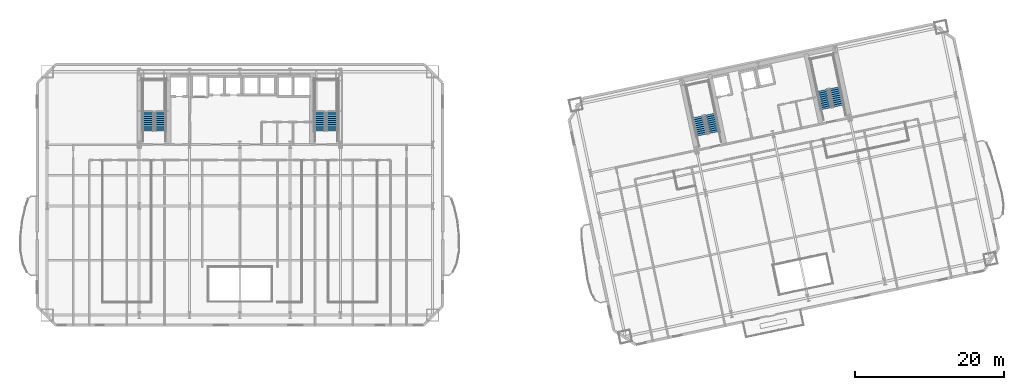
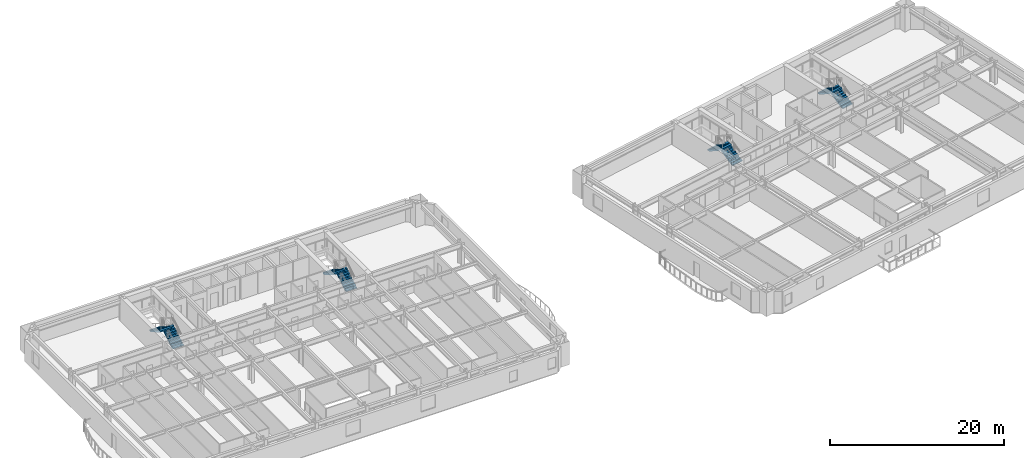
# One storey, part 10 of 17: 8 stair flights, 4 elements without a shape of their own.
"""IFC4 building model written with IfcOpenShell, lengths in metres."""

from ifc_helpers import new_model, si_unit, direction, frame, origin, place, context, subcontext, project, spatial, polyline, outline, extrude, material, type_object, element, aggregate, save


model = new_model("IFC4")

# Units and contexts
model_context = context("Model", 3, precision=1e-05, world=origin(), true_north=direction((0.0, 1.0)))
body_context = subcontext(model_context, "Body", "Model", "MODEL_VIEW")
ifc_project = project(units=[si_unit("LENGTHUNIT", "METRE"), si_unit("AREAUNIT", "SQUARE_METRE"), si_unit("VOLUMEUNIT", "CUBIC_METRE"), si_unit("PLANEANGLEUNIT", "RADIAN"), si_unit("MASSUNIT", "GRAM", prefix="KILO")], contexts=[model_context])

# Site, building, storey
site_placement = place(None, origin())
site = spatial("IfcSite", under=ifc_project, at=site_placement, CompositionType="ELEMENT")
building_placement = place(site_placement, origin())
building = spatial("IfcBuilding", under=site, at=building_placement, Name="Haevon Station Towers", CompositionType="ELEMENT")
storey_placement = place(building_placement, frame((0.0, 0.0, 33.89990234375)))
storey = spatial("IfcBuildingStorey", under=building, at=storey_placement, Name="L07", CompositionType="ELEMENT", Elevation=33.89990234375)

# Stair, stair flights
ifc_material = material(Name="Concrete C40/50", Category="concrete")
stair_type = type_object("IfcStairType", Name="STR-DL1450", PredefinedType="USERDEFINED", material=ifc_material)
stair_1_placement = place(storey_placement, origin())
stair_1 = element("IfcStair", 1, at=stair_1_placement, inside=storey, type_object=stair_type, Name="L07 Escape Stair ST1", ObjectType="TWO_RETURN_STAIR", PredefinedType="USERDEFINED")
stair_flight_type = type_object("IfcStairFlightType", Name="STF-ST1450", PredefinedType="STRAIGHT", material=ifc_material)
stair_flight_1_placement = place(storey_placement, frame((26.85498046875, 40.050048828125, 0.0), z_axis=(0.0, 0.0, 1.0), x_axis=(0.0, 1.0, 0.0)))
stair_flight_1 = element("IfcStairFlight", 2, at=stair_flight_1_placement, type_object=stair_flight_type, Name="L07 ST1 Flight 1", NumberOfRisers=10, NumberOfTreads=9, PredefinedType="STRAIGHT", RiserHeight=0.165, TreadLength=0.28, context=body_context, shape_type="SweptSolid", body=[
    extrude(outline(polyline([(0.0, 0.0), (0.0, 0.1650390625), (0.280029296875, 0.1650390625), (0.280029296875, 0.330078125), (0.56005859375, 0.330078125), (0.56005859375, 0.4951171875), (0.840087890625, 0.4951171875), (0.840087890625, 0.659912109375), (1.1201171875, 0.659912109375), (1.1201171875, 0.824951171875), (1.39990234375, 0.824951171875), (1.39990234375, 0.989990234375), (1.679931640625, 0.989990234375), (1.679931640625, 1.155029296875), (1.9599609375, 1.155029296875), (1.9599609375, 1.320068359375), (2.239990234375, 1.320068359375), (2.239990234375, 1.485107421875), (2.52001953125, 1.485107421875), (2.52001953125, 1.64990234375), (2.52001953125, 1.29931640625), (0.31494140625, 0.0), (0.0, 0.0)])), frame((0.0, 0.72509765625, 0.0), z_axis=(0.0, -1.0, 0.0), x_axis=(1.0, 0.0, 0.0)), (0.0, 0.0, 1.0), 1.449951171875),
])
stair_flight_2_placement = place(storey_placement, frame((25.205078125, 42.570068359375, 1.650146484375), z_axis=(0.0, 0.0, 1.0), x_axis=(0.0, -1.0, 0.0)))
stair_flight_2 = element("IfcStairFlight", 3, at=stair_flight_2_placement, type_object=stair_flight_type, Name="L07 ST1 Flight 2", NumberOfRisers=10, NumberOfTreads=9, PredefinedType="STRAIGHT", RiserHeight=0.165, TreadLength=0.28, context=body_context, shape_type="SweptSolid", body=[
    extrude(outline(polyline([(0.0, 0.0), (0.0, 0.1650390625), (0.280029296875, 0.1650390625), (0.280029296875, 0.330078125), (0.56005859375, 0.330078125), (0.56005859375, 0.4951171875), (0.840087890625, 0.4951171875), (0.840087890625, 0.659912109375), (1.1201171875, 0.659912109375), (1.1201171875, 0.824951171875), (1.39990234375, 0.824951171875), (1.39990234375, 0.989990234375), (1.679931640625, 0.989990234375), (1.679931640625, 1.155029296875), (1.9599609375, 1.155029296875), (1.9599609375, 1.320068359375), (2.239990234375, 1.320068359375), (2.239990234375, 1.485107421875), (2.52001953125, 1.485107421875), (2.52001953125, 1.64990234375), (2.52001953125, 1.29931640625), (0.31494140625, 0.0), (0.0, 0.0)])), frame((0.0, 0.72509765625, 0.0), z_axis=(0.0, -1.0, 0.0), x_axis=(1.0, 0.0, 0.0)), (0.0, 0.0, 1.0), 1.449951171875),
])
aggregate(stair_1, [stair_flight_1, stair_flight_2])

stair_2_placement = place(storey_placement, origin())
stair_2 = element("IfcStair", 4, at=stair_2_placement, inside=storey, type_object=stair_type, Name="L07 Escape Stair ST2", ObjectType="TWO_RETURN_STAIR", PredefinedType="USERDEFINED")
stair_flight_3_placement = place(storey_placement, frame((49.89501953125, 40.050048828125, 0.0), z_axis=(0.0, 0.0, 1.0), x_axis=(0.0, 1.0, 0.0)))
stair_flight_3 = element("IfcStairFlight", 5, at=stair_flight_3_placement, type_object=stair_flight_type, Name="L07 ST2 Flight 1", NumberOfRisers=10, NumberOfTreads=9, PredefinedType="STRAIGHT", RiserHeight=0.165, TreadLength=0.28, context=body_context, shape_type="SweptSolid", body=[
    extrude(outline(polyline([(0.0, 0.0), (0.0, 0.1650390625), (0.280029296875, 0.1650390625), (0.280029296875, 0.330078125), (0.56005859375, 0.330078125), (0.56005859375, 0.4951171875), (0.840087890625, 0.4951171875), (0.840087890625, 0.659912109375), (1.1201171875, 0.659912109375), (1.1201171875, 0.824951171875), (1.39990234375, 0.824951171875), (1.39990234375, 0.989990234375), (1.679931640625, 0.989990234375), (1.679931640625, 1.155029296875), (1.9599609375, 1.155029296875), (1.9599609375, 1.320068359375), (2.239990234375, 1.320068359375), (2.239990234375, 1.485107421875), (2.52001953125, 1.485107421875), (2.52001953125, 1.64990234375), (2.52001953125, 1.29931640625), (0.31494140625, 0.0), (0.0, 0.0)])), frame((0.0, 0.72509765625, 0.0), z_axis=(0.0, -1.0, 0.0), x_axis=(1.0, 0.0, 0.0)), (0.0, 0.0, 1.0), 1.449951171875),
])
stair_flight_4_placement = place(storey_placement, frame((48.2451171875, 42.570068359375, 1.650146484375), z_axis=(0.0, 0.0, 1.0), x_axis=(0.0, -1.0, 0.0)))
stair_flight_4 = element("IfcStairFlight", 6, at=stair_flight_4_placement, type_object=stair_flight_type, Name="L07 ST2 Flight 2", NumberOfRisers=10, NumberOfTreads=9, PredefinedType="STRAIGHT", RiserHeight=0.165, TreadLength=0.28, context=body_context, shape_type="SweptSolid", body=[
    extrude(outline(polyline([(0.0, 0.0), (0.0, 0.1650390625), (0.280029296875, 0.1650390625), (0.280029296875, 0.330078125), (0.56005859375, 0.330078125), (0.56005859375, 0.4951171875), (0.840087890625, 0.4951171875), (0.840087890625, 0.659912109375), (1.1201171875, 0.659912109375), (1.1201171875, 0.824951171875), (1.39990234375, 0.824951171875), (1.39990234375, 0.989990234375), (1.679931640625, 0.989990234375), (1.679931640625, 1.155029296875), (1.9599609375, 1.155029296875), (1.9599609375, 1.320068359375), (2.239990234375, 1.320068359375), (2.239990234375, 1.485107421875), (2.52001953125, 1.485107421875), (2.52001953125, 1.64990234375), (2.52001953125, 1.29931640625), (0.31494140625, 0.0), (0.0, 0.0)])), frame((0.0, 0.72509765625, 0.0), z_axis=(0.0, -1.0, 0.0), x_axis=(1.0, 0.0, 0.0)), (0.0, 0.0, 1.0), 1.449951171875),
])
aggregate(stair_2, [stair_flight_3, stair_flight_4])

stair_3_placement = place(storey_placement, origin())
stair_3 = element("IfcStair", 7, at=stair_3_placement, inside=storey, type_object=stair_type, Name="L07 Escape Stair ST3", ObjectType="TWO_RETURN_STAIR", PredefinedType="USERDEFINED")
stair_flight_5_placement = place(storey_placement, frame((101.1015625, 39.8330078125, 0.0), z_axis=(0.0, 0.0, 1.0), x_axis=(-0.207911690818, 0.978147600734, 0.0)))
stair_flight_5 = element("IfcStairFlight", 8, at=stair_flight_5_placement, type_object=stair_flight_type, Name="L07 ST3 Flight 1", NumberOfRisers=10, NumberOfTreads=9, PredefinedType="STRAIGHT", RiserHeight=0.165, TreadLength=0.28, context=body_context, shape_type="SweptSolid", body=[
    extrude(outline(polyline([(0.0, 0.0), (0.0, 0.1650390625), (0.280029296875, 0.1650390625), (0.280029296875, 0.330078125), (0.56005859375, 0.330078125), (0.56005859375, 0.4951171875), (0.840087890625, 0.4951171875), (0.840087890625, 0.659912109375), (1.1201171875, 0.659912109375), (1.1201171875, 0.824951171875), (1.39990234375, 0.824951171875), (1.39990234375, 0.989990234375), (1.679931640625, 0.989990234375), (1.679931640625, 1.155029296875), (1.9599609375, 1.155029296875), (1.9599609375, 1.320068359375), (2.239990234375, 1.320068359375), (2.239990234375, 1.485107421875), (2.52001953125, 1.485107421875), (2.52001953125, 1.64990234375), (2.52001953125, 1.29931640625), (0.31494140625, 0.0), (0.0, 0.0)])), frame((0.0, 0.72509765625, 0.0), z_axis=(0.0, -1.0, 0.0), x_axis=(1.0, 0.0, 0.0)), (0.0, 0.0, 1.0), 1.449951171875),
])
stair_flight_6_placement = place(storey_placement, frame((98.9638671875, 41.955078125, 1.650146484375), z_axis=(0.0, 0.0, 1.0), x_axis=(0.207911690818, -0.978147600734, 0.0)))
stair_flight_6 = element("IfcStairFlight", 9, at=stair_flight_6_placement, type_object=stair_flight_type, Name="L07 ST3 Flight 2", NumberOfRisers=10, NumberOfTreads=9, PredefinedType="STRAIGHT", RiserHeight=0.165, TreadLength=0.28, context=body_context, shape_type="SweptSolid", body=[
    extrude(outline(polyline([(0.0, 0.0), (0.0, 0.1650390625), (0.280029296875, 0.1650390625), (0.280029296875, 0.330078125), (0.56005859375, 0.330078125), (0.56005859375, 0.4951171875), (0.840087890625, 0.4951171875), (0.840087890625, 0.659912109375), (1.1201171875, 0.659912109375), (1.1201171875, 0.824951171875), (1.39990234375, 0.824951171875), (1.39990234375, 0.989990234375), (1.679931640625, 0.989990234375), (1.679931640625, 1.155029296875), (1.9599609375, 1.155029296875), (1.9599609375, 1.320068359375), (2.239990234375, 1.320068359375), (2.239990234375, 1.485107421875), (2.52001953125, 1.485107421875), (2.52001953125, 1.64990234375), (2.52001953125, 1.29931640625), (0.31494140625, 0.0), (0.0, 0.0)])), frame((0.0, 0.72509765625, 0.0), z_axis=(0.0, -1.0, 0.0), x_axis=(1.0, 0.0, 0.0)), (0.0, 0.0, 1.0), 1.449951171875),
])
aggregate(stair_3, [stair_flight_5, stair_flight_6])

stair_4_placement = place(storey_placement, origin())
stair_4 = element("IfcStair", 10, at=stair_4_placement, inside=storey, type_object=stair_type, Name="L07 Escape Stair ST4", ObjectType="TWO_RETURN_STAIR", PredefinedType="USERDEFINED")
stair_flight_7_placement = place(storey_placement, frame((117.788818359375, 43.380126953125, 0.0), z_axis=(0.0, 0.0, 1.0), x_axis=(-0.207911690818, 0.978147600734, 0.0)))
stair_flight_7 = element("IfcStairFlight", 11, at=stair_flight_7_placement, type_object=stair_flight_type, Name="L07 ST4 Flight 1", NumberOfRisers=10, NumberOfTreads=9, PredefinedType="STRAIGHT", RiserHeight=0.165, TreadLength=0.28, context=body_context, shape_type="SweptSolid", body=[
    extrude(outline(polyline([(0.0, 0.0), (0.0, 0.1650390625), (0.280029296875, 0.1650390625), (0.280029296875, 0.330078125), (0.56005859375, 0.330078125), (0.56005859375, 0.4951171875), (0.840087890625, 0.4951171875), (0.840087890625, 0.659912109375), (1.1201171875, 0.659912109375), (1.1201171875, 0.824951171875), (1.39990234375, 0.824951171875), (1.39990234375, 0.989990234375), (1.679931640625, 0.989990234375), (1.679931640625, 1.155029296875), (1.9599609375, 1.155029296875), (1.9599609375, 1.320068359375), (2.239990234375, 1.320068359375), (2.239990234375, 1.485107421875), (2.52001953125, 1.485107421875), (2.52001953125, 1.64990234375), (2.52001953125, 1.29931640625), (0.31494140625, 0.0), (0.0, 0.0)])), frame((0.0, 0.72509765625, 0.0), z_axis=(0.0, -1.0, 0.0), x_axis=(1.0, 0.0, 0.0)), (0.0, 0.0, 1.0), 1.449951171875),
])
stair_flight_8_placement = place(storey_placement, frame((115.65087890625, 45.501953125, 1.650146484375), z_axis=(0.0, 0.0, 1.0), x_axis=(0.207911690818, -0.978147600734, 0.0)))
stair_flight_8 = element("IfcStairFlight", 12, at=stair_flight_8_placement, type_object=stair_flight_type, Name="L07 ST4 Flight 2", NumberOfRisers=10, NumberOfTreads=9, PredefinedType="STRAIGHT", RiserHeight=0.165, TreadLength=0.28, context=body_context, shape_type="SweptSolid", body=[
    extrude(outline(polyline([(0.0, 0.0), (0.0, 0.1650390625), (0.280029296875, 0.1650390625), (0.280029296875, 0.330078125), (0.56005859375, 0.330078125), (0.56005859375, 0.4951171875), (0.840087890625, 0.4951171875), (0.840087890625, 0.659912109375), (1.1201171875, 0.659912109375), (1.1201171875, 0.824951171875), (1.39990234375, 0.824951171875), (1.39990234375, 0.989990234375), (1.679931640625, 0.989990234375), (1.679931640625, 1.155029296875), (1.9599609375, 1.155029296875), (1.9599609375, 1.320068359375), (2.239990234375, 1.320068359375), (2.239990234375, 1.485107421875), (2.52001953125, 1.485107421875), (2.52001953125, 1.64990234375), (2.52001953125, 1.29931640625), (0.31494140625, 0.0), (0.0, 0.0)])), frame((0.0, 0.72509765625, 0.0), z_axis=(0.0, -1.0, 0.0), x_axis=(1.0, 0.0, 0.0)), (0.0, 0.0, 1.0), 1.449951171875),
])
aggregate(stair_4, [stair_flight_7, stair_flight_8])

save(model, "model.ifc")
